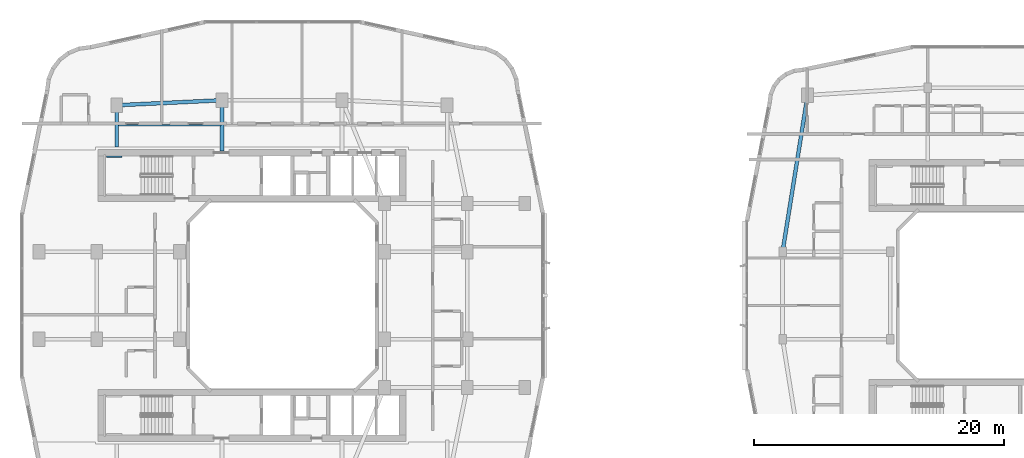
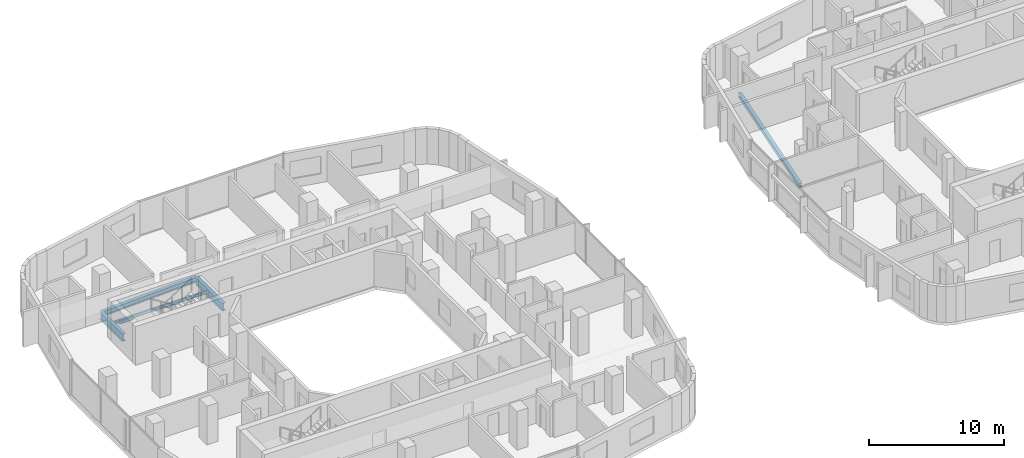
# One storey, part 6 of 27: 6 beams.
"""IFC4 building model written with IfcOpenShell, lengths in metres."""

from ifc_helpers import new_model, si_unit, derived_unit, direction, frame, origin, origin_2d, place, context, subcontext, project, spatial, i_section, extrude, material, material_profile, profile_set, type_object, element, save


model = new_model("IFC4")

# Units and contexts
model_context = context("Model", 3, precision=1e-05, world=origin(), true_north=direction((0.0, 1.0)))
body_context = subcontext(model_context, "Body", "Model", "MODEL_VIEW")
ifc_project = project(units=[si_unit("LENGTHUNIT", "METRE"), si_unit("AREAUNIT", "SQUARE_METRE"), si_unit("VOLUMEUNIT", "CUBIC_METRE"), si_unit("PLANEANGLEUNIT", "RADIAN"), si_unit("MASSUNIT", "GRAM", prefix="KILO"), derived_unit("THERMALTRANSMITTANCEUNIT", [(si_unit("POWERUNIT", "WATT"), 1), (si_unit("LENGTHUNIT", "METRE"), -2), (si_unit("THERMODYNAMICTEMPERATUREUNIT", "KELVIN"), -1)])], contexts=[model_context])

# Site, building, storey
site_placement = place(None, origin())
site = spatial("IfcSite", under=ifc_project, at=site_placement, CompositionType="ELEMENT")
building_placement = place(site_placement, origin())
building = spatial("IfcBuilding", under=site, at=building_placement, Name="Kivonza Crest Hotel", CompositionType="ELEMENT")
storey_placement = place(building_placement, frame((0.0, 0.0, 73.0)))
storey = spatial("IfcBuildingStorey", under=building, at=storey_placement, Name="L19", CompositionType="ELEMENT", Elevation=73.0)

# Beams
ifc_material = material(Name="Steel S355", Category="steel")
ifc_material_profile_1 = material_profile(ifc_material, i_section(OverallWidth=0.300048828125, OverallDepth=0.360107421875, WebThickness=0.012451171875, FlangeThickness=0.0224609375, FilletRadius=0.027099609375, at=origin_2d()), Name="HEB 360")
ifc_profile_set_1 = profile_set([ifc_material_profile_1], Name="Steel S355")
beam_type_1 = type_object("IfcBeamType", Name="BM-HEB360", PredefinedType="SPANDREL", material=ifc_profile_set_1)
beam_1_placement = place(storey_placement, frame((63.0, 41.0, -0.429931640625), z_axis=(-0.157990501107, -0.987440631917, 0.0), x_axis=(0.987440631917, -0.157990501107, 0.0)))
element("IfcBeam", 1, at=beam_1_placement, inside=storey, type_object=beam_type_1, Name="Companion Tower T2 L19 perimeter spandrel NW-W2", PredefinedType="SPANDREL", context=body_context, shape_type="SweptSolid", body=[
    extrude(i_section(OverallWidth=0.300048828125, OverallDepth=0.360107421875, WebThickness=0.012451171875, FlangeThickness=0.0224609375, FilletRadius=0.027099609375, at=origin_2d()), origin(), (0.0, 0.0, 1.0), 12.658935546875),
])
ifc_material_profile_2 = material_profile(ifc_material, i_section(OverallWidth=0.300048828125, OverallDepth=0.449951171875, WebThickness=0.013916015625, FlangeThickness=0.02587890625, FilletRadius=0.027099609375, at=origin_2d()), Name="HEB 450")
ifc_profile_set_2 = profile_set([ifc_material_profile_2], Name="Steel S355")
beam_type_2 = type_object("IfcBeamType", Name="BM-HEB450", PredefinedType="SPANDREL", material=ifc_profile_set_2)
beam_2_placement = place(storey_placement, frame((16.199951171875, 40.60009765625, -0.5048828125), z_axis=(-0.998867283688, -0.047583080799, 0.0), x_axis=(0.047583080799, -0.998867283688, 0.0)))
element("IfcBeam", 2, at=beam_2_placement, inside=storey, type_object=beam_type_2, Name="Tower T1 L19 perimeter spandrel N1-NW", PredefinedType="SPANDREL", context=body_context, shape_type="SweptSolid", body=[
    extrude(i_section(OverallWidth=0.300048828125, OverallDepth=0.449951171875, WebThickness=0.013916015625, FlangeThickness=0.02587890625, FilletRadius=0.027099609375, at=origin_2d()), origin(), (0.0, 0.0, 1.0), 8.409423828125),
])
ifc_material_profile_3 = material_profile(ifc_material, i_section(OverallWidth=0.300048828125, OverallDepth=0.699951171875, WebThickness=0.01708984375, FlangeThickness=0.031982421875, FilletRadius=0.027099609375, at=origin_2d()), Name="HEB 700")
ifc_profile_set_3 = profile_set([ifc_material_profile_3], Name="Steel S355")
beam_type_3 = type_object("IfcBeamType", Name="BM-HEB700", PredefinedType="BEAM", material=ifc_profile_set_3)
beam_3_placement = place(storey_placement, frame((7.800048828125, 40.199951171875, -0.6298828125), z_axis=(0.0, -1.0, 0.0), x_axis=(1.0, 0.0, 0.0)))
element("IfcBeam", 3, at=beam_3_placement, inside=storey, type_object=beam_type_3, Name="Tower T1 L19 radial core girder RNW", PredefinedType="BEAM", context=body_context, shape_type="SweptSolid", body=[
    extrude(i_section(OverallWidth=0.300048828125, OverallDepth=0.699951171875, WebThickness=0.01708984375, FlangeThickness=0.031982421875, FilletRadius=0.027099609375, at=origin_2d()), origin(), (0.0, 0.0, 1.0), 3.349853515625),
])
beam_4_placement = place(storey_placement, frame((16.199951171875, 40.60009765625, -0.6298828125), z_axis=(0.0, -1.0, 0.0), x_axis=(1.0, 0.0, 0.0)))
element("IfcBeam", 4, at=beam_4_placement, inside=storey, type_object=beam_type_3, Name="Tower T1 L19 radial core girder RN1", PredefinedType="BEAM", context=body_context, shape_type="SweptSolid", body=[
    extrude(i_section(OverallWidth=0.300048828125, OverallDepth=0.699951171875, WebThickness=0.01708984375, FlangeThickness=0.031982421875, FilletRadius=0.027099609375, at=origin_2d()), origin(), (0.0, 0.0, 1.0), 4.050048828125),
])
ifc_material_profile_4 = material_profile(ifc_material, i_section(OverallWidth=0.135009765625, OverallDepth=0.27001953125, WebThickness=0.006591796875, FlangeThickness=0.01025390625, FilletRadius=0.014892578125, at=origin_2d()), Name="IPE 270")
ifc_profile_set_4 = profile_set([ifc_material_profile_4], Name="Steel S355")
beam_type_4 = type_object("IfcBeamType", Name="BM-IPE270", PredefinedType="JOIST", material=ifc_profile_set_4)
beam_5_placement = place(storey_placement, frame((7.8798828125, 38.60009765625, -0.4150390625), z_axis=(1.0, 0.0, 0.0), x_axis=(0.0, 1.0, 0.0)))
element("IfcBeam", 5, at=beam_5_placement, inside=storey, type_object=beam_type_4, Name="Tower T1 L19 North-West floor joist", PredefinedType="JOIST", context=body_context, shape_type="SweptSolid", body=[
    extrude(i_section(OverallWidth=0.135009765625, OverallDepth=0.27001953125, WebThickness=0.006591796875, FlangeThickness=0.01025390625, FilletRadius=0.014892578125, at=origin_2d()), origin(), (0.0, 0.0, 1.0), 8.240234375),
])
ifc_material_profile_5 = material_profile(ifc_material, i_section(OverallWidth=0.1201171875, OverallDepth=0.239990234375, WebThickness=0.006103515625, FlangeThickness=0.009765625, FilletRadius=0.014892578125, at=origin_2d()), Name="IPE 240")
ifc_profile_set_5 = profile_set([ifc_material_profile_5], Name="Steel S355")
beam_type_5 = type_object("IfcBeamType", Name="BM-LLDG-240", PredefinedType="BEAM", material=ifc_profile_set_5)
beam_6_placement = place(storey_placement, frame((6.989990234375, 36.10009765625, 1.429931640625), z_axis=(1.0, 0.0, 0.0), x_axis=(0.0, 1.0, 0.0)))
element("IfcBeam", 6, at=beam_6_placement, inside=storey, type_object=beam_type_5, Name="Stair ST-T1-N L19 North landing corbel", PredefinedType="BEAM", context=body_context, shape_type="SweptSolid", body=[
    extrude(i_section(OverallWidth=0.1201171875, OverallDepth=0.239990234375, WebThickness=0.006103515625, FlangeThickness=0.009765625, FilletRadius=0.014892578125, at=origin_2d()), origin(), (0.0, 0.0, 1.0), 1.2099609375),
])

save(model, "model.ifc")
